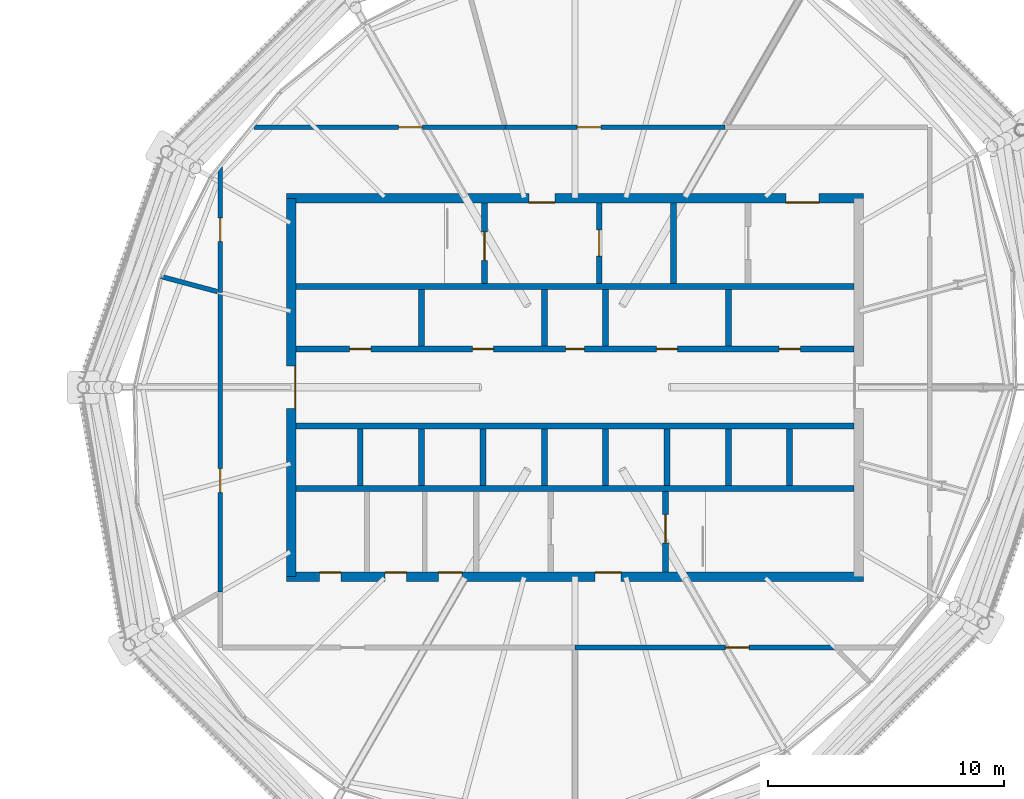
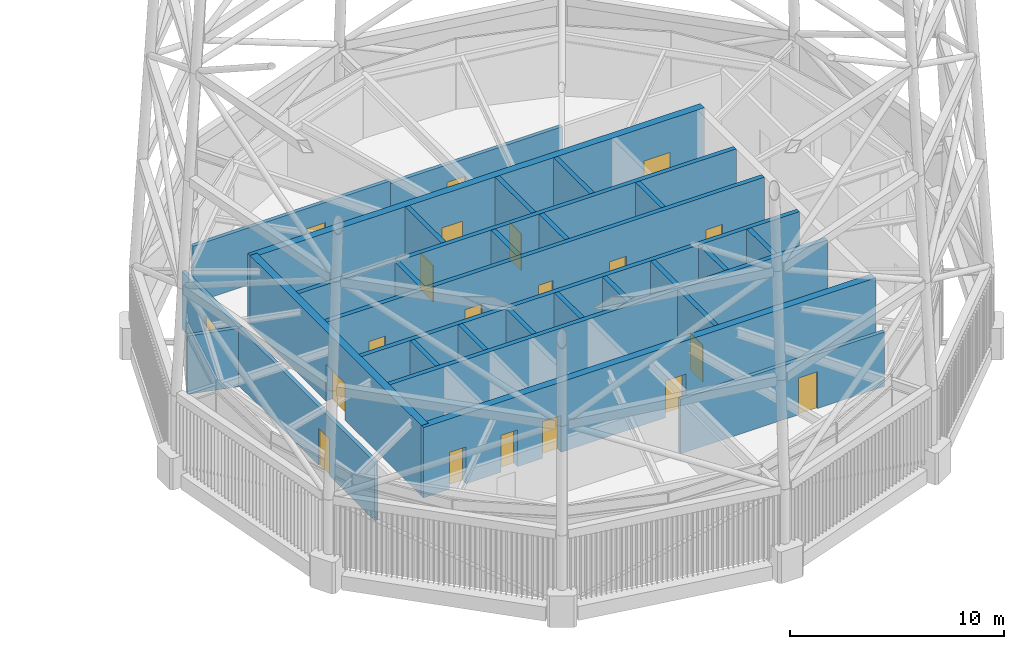
# One storey, part 65 of 71: 29 walls, 20 doors, 20 openings.
"""IFC4 building model written with IfcOpenShell, lengths in metres."""

from ifc_helpers import new_model, si_unit, direction, frame, frame_2d, origin, place, context, subcontext, project, spatial, rectangle, extrude, material, layer, layer_set, type_object, element, fill, save


model = new_model("IFC4")

# Units and contexts
model_context = context("Model", 3, precision=1e-05, world=origin(), true_north=direction((0.0, 1.0)))
body_context = subcontext(model_context, "Body", "Model", "MODEL_VIEW")
ifc_project = project(units=[si_unit("LENGTHUNIT", "METRE"), si_unit("AREAUNIT", "SQUARE_METRE"), si_unit("VOLUMEUNIT", "CUBIC_METRE"), si_unit("PLANEANGLEUNIT", "RADIAN"), si_unit("MASSUNIT", "GRAM", prefix="KILO")], contexts=[model_context])

# Site, building, storey
site_placement = place(None, origin())
site = spatial("IfcSite", under=ifc_project, at=site_placement, CompositionType="ELEMENT")
building_placement = place(site_placement, origin())
building = spatial("IfcBuilding", under=site, at=building_placement, Name="Rimbun Link Towers", CompositionType="ELEMENT")
storey_placement = place(building_placement, frame((0.0, 0.0, 267.60009765625)))
storey = spatial("IfcBuildingStorey", under=building, at=storey_placement, Name="L65", CompositionType="ELEMENT", Elevation=267.60009765625)

# Wall, openings, doors
ifc_material_1 = material(Name="Concrete C60/75", Category="concrete")
ifc_layer_1 = layer(ifc_material_1, 0.39990234375)
ifc_layer_set_1 = layer_set([ifc_layer_1], Name="Core shear wall 400")
wall_type_1 = type_object("IfcWallType", Name="Core shear wall 400", PredefinedType="SHEAR", material=ifc_layer_set_1)
wall_1_placement = place(storey_placement, frame((19.550048828125, 8.0, 0.0), z_axis=(0.0, 0.0, 1.0), x_axis=(1.0, 0.0, 0.0)))
wall_1 = element("IfcWall", 1, at=wall_1_placement, inside=storey, type_object=wall_type_1, Name="L65 T2 core wall N", PredefinedType="SHEAR", context=body_context, shape_type="SweptSolid", body=[
    extrude(rectangle(XDim=24.39990234375, YDim=0.39990234375, at=frame_2d((12.199951171875, 0.0))), origin(), (0.0, 0.0, 1.0), 4.0),
])
opening_1_placement = place(wall_1_placement, frame((10.25, 0.0, 0.0)))
opening_1 = element("IfcOpeningElement", 2, at=opening_1_placement, cuts=wall_1, Name="Opening C2DCF01N", PredefinedType="OPENING", context=body_context, shape_type="SweptSolid", body=[
    extrude(rectangle(XDim=1.10009765625, YDim=2.10009765625, at=frame_2d((0.550048828125, 1.050048828125))), frame((0.0, 0.2099609375, 0.0), z_axis=(0.0, -1.0, 0.0), x_axis=(1.0, 0.0, 0.0)), (0.0, 0.0, 1.0), 0.419921875),
])
opening_2_placement = place(wall_1_placement, frame((21.125, 0.0, 0.0)))
opening_2 = element("IfcOpeningElement", 3, at=opening_2_placement, cuts=wall_1, Name="Opening C2DSL02N", PredefinedType="OPENING", context=body_context, shape_type="SweptSolid", body=[
    extrude(rectangle(XDim=1.39990234375, YDim=2.10009765625, at=frame_2d((0.699951171875, 1.050048828125))), frame((0.0, 0.2099609375, 0.0), z_axis=(0.0, -1.0, 0.0), x_axis=(1.0, 0.0, 0.0)), (0.0, 0.0, 1.0), 0.419921875),
])
ifc_material_2 = material(Name="Steel fire door set", Category="steel")
door_type_1 = type_object("IfcDoorType", Name="Core fire door single", OperationType="SINGLE_SWING_LEFT", PredefinedType="DOOR", material=ifc_material_2)
door_1_placement = place(opening_1_placement, origin())
door_1 = element("IfcDoor", 4, at=door_1_placement, inside=storey, type_object=door_type_1, Name="L65 T2 firefighting lobby n door", OperationType="SINGLE_SWING_LEFT", OverallHeight=2.10009765625, OverallWidth=1.10009765625, PredefinedType="DOOR", context=body_context, shape_type="SweptSolid", body=[
    extrude(rectangle(XDim=1.10009765625, YDim=2.10009765625, at=frame_2d((0.550048828125, 1.050048828125))), frame((0.0, -0.14990234375, 0.0), z_axis=(0.0, -1.0, 0.0), x_axis=(1.0, 0.0, 0.0)), (0.0, 0.0, 1.0), 0.050048828125),
])
fill(opening_1, door_1)
ifc_material_3 = material(Name="Steel fire door set", Category="steel")
door_type_2 = type_object("IfcDoorType", Name="Service lobby door double", OperationType="DOUBLE_DOOR_SINGLE_SWING", PredefinedType="DOOR", material=ifc_material_3)
door_2_placement = place(opening_2_placement, origin())
door_2 = element("IfcDoor", 5, at=door_2_placement, inside=storey, type_object=door_type_2, Name="L65 T2 service lobby door", OperationType="DOUBLE_DOOR_SINGLE_SWING", OverallHeight=2.10009765625, OverallWidth=1.39990234375, PredefinedType="DOOR", context=body_context, shape_type="SweptSolid", body=[
    extrude(rectangle(XDim=1.39990234375, YDim=2.10009765625, at=frame_2d((0.699951171875, 1.050048828125))), frame((0.0, -0.14990234375, 0.0), z_axis=(0.0, -1.0, 0.0), x_axis=(1.0, 0.0, 0.0)), (0.0, 0.0, 1.0), 0.050048828125),
])
fill(opening_2, door_2)

wall_2_placement = place(storey_placement, frame((19.550048828125, -8.0, 0.0), z_axis=(0.0, 0.0, 1.0), x_axis=(1.0, 0.0, 0.0)))
wall_2 = element("IfcWall", 6, at=wall_2_placement, inside=storey, type_object=wall_type_1, Name="L65 T2 core wall S", PredefinedType="SHEAR", context=body_context, shape_type="SweptSolid", body=[
    extrude(rectangle(XDim=24.39990234375, YDim=0.39990234375, at=frame_2d((12.199951171875, 0.0))), origin(), (0.0, 0.0, 1.0), 4.0),
])
opening_3_placement = place(wall_2_placement, frame((13.050048828125, 0.0, 0.0)))
opening_3 = element("IfcOpeningElement", 7, at=opening_3_placement, cuts=wall_2, Name="Opening C2DCF01S", PredefinedType="OPENING", context=body_context, shape_type="SweptSolid", body=[
    extrude(rectangle(XDim=1.10009765625, YDim=2.10009765625, at=frame_2d((0.550048828125, 1.050048828125))), frame((0.0, 0.2099609375, 0.0), z_axis=(0.0, -1.0, 0.0), x_axis=(1.0, 0.0, 0.0)), (0.0, 0.0, 1.0), 0.419921875),
])
opening_4_placement = place(wall_2_placement, frame((1.39990234375, 0.0, 0.0)))
opening_4 = element("IfcOpeningElement", 8, at=opening_4_placement, cuts=wall_2, Name="Opening C2DWC02S", PredefinedType="OPENING", context=body_context, shape_type="SweptSolid", body=[
    extrude(rectangle(XDim=0.89990234375, YDim=2.10009765625, at=frame_2d((0.449951171875, 1.050048828125))), frame((0.0, 0.2099609375, 0.0), z_axis=(0.0, -1.0, 0.0), x_axis=(1.0, 0.0, 0.0)), (0.0, 0.0, 1.0), 0.419921875),
])
opening_5_placement = place(wall_2_placement, frame((4.175048828125, 0.0, 0.0)))
opening_5 = element("IfcOpeningElement", 9, at=opening_5_placement, cuts=wall_2, Name="Opening C2DWC03S", PredefinedType="OPENING", context=body_context, shape_type="SweptSolid", body=[
    extrude(rectangle(XDim=0.89990234375, YDim=2.10009765625, at=frame_2d((0.449951171875, 1.050048828125))), frame((0.0, 0.2099609375, 0.0), z_axis=(0.0, -1.0, 0.0), x_axis=(1.0, 0.0, 0.0)), (0.0, 0.0, 1.0), 0.419921875),
])
opening_6_placement = place(wall_2_placement, frame((6.425048828125, 0.0, 0.0)))
opening_6 = element("IfcOpeningElement", 10, at=opening_6_placement, cuts=wall_2, Name="Opening C2DAW04S", PredefinedType="OPENING", context=body_context, shape_type="SweptSolid", body=[
    extrude(rectangle(XDim=1.0, YDim=2.10009765625, at=frame_2d((0.5, 1.050048828125))), frame((0.0, 0.2099609375, 0.0), z_axis=(0.0, -1.0, 0.0), x_axis=(1.0, 0.0, 0.0)), (0.0, 0.0, 1.0), 0.419921875),
])
ifc_material_4 = material(Name="Timber", Category="wood")
door_type_3 = type_object("IfcDoorType", Name="Accessible WC door", OperationType="SINGLE_SWING_LEFT", PredefinedType="DOOR", material=ifc_material_4)
door_3_placement = place(opening_6_placement, origin())
door_3 = element("IfcDoor", 11, at=door_3_placement, inside=storey, type_object=door_type_3, Name="L65 T2 accessible wc door", OperationType="SINGLE_SWING_RIGHT", OverallHeight=2.10009765625, OverallWidth=1.0, PredefinedType="DOOR", context=body_context, shape_type="SweptSolid", body=[
    extrude(rectangle(XDim=1.0, YDim=2.10009765625, at=frame_2d((0.5, 1.050048828125))), frame((0.0, 0.2001953125, 0.0), z_axis=(0.0, -1.0, 0.0), x_axis=(1.0, 0.0, 0.0)), (0.0, 0.0, 1.0), 0.050048828125),
])
fill(opening_6, door_3)
door_4_placement = place(opening_3_placement, origin())
door_4 = element("IfcDoor", 12, at=door_4_placement, inside=storey, type_object=door_type_1, Name="L65 T2 firefighting lobby s door", OperationType="SINGLE_SWING_RIGHT", OverallHeight=2.10009765625, OverallWidth=1.10009765625, PredefinedType="DOOR", context=body_context, shape_type="SweptSolid", body=[
    extrude(rectangle(XDim=1.10009765625, YDim=2.10009765625, at=frame_2d((0.550048828125, 1.050048828125))), frame((0.0, 0.2001953125, 0.0), z_axis=(0.0, -1.0, 0.0), x_axis=(1.0, 0.0, 0.0)), (0.0, 0.0, 1.0), 0.050048828125),
])
fill(opening_3, door_4)
ifc_material_5 = material(Name="Timber", Category="wood")
door_type_4 = type_object("IfcDoorType", Name="WC door", OperationType="SINGLE_SWING_LEFT", PredefinedType="DOOR", material=ifc_material_5)
door_5_placement = place(opening_4_placement, origin())
door_5 = element("IfcDoor", 13, at=door_5_placement, inside=storey, type_object=door_type_4, Name="L65 T2 male wc door", OperationType="SINGLE_SWING_RIGHT", OverallHeight=2.10009765625, OverallWidth=0.89990234375, PredefinedType="DOOR", context=body_context, shape_type="SweptSolid", body=[
    extrude(rectangle(XDim=0.89990234375, YDim=2.10009765625, at=frame_2d((0.449951171875, 1.050048828125))), frame((0.0, 0.2001953125, 0.0), z_axis=(0.0, -1.0, 0.0), x_axis=(1.0, 0.0, 0.0)), (0.0, 0.0, 1.0), 0.050048828125),
])
fill(opening_4, door_5)
door_6_placement = place(opening_5_placement, origin())
door_6 = element("IfcDoor", 14, at=door_6_placement, inside=storey, type_object=door_type_4, Name="L65 T2 female wc door", OperationType="SINGLE_SWING_RIGHT", OverallHeight=2.10009765625, OverallWidth=0.89990234375, PredefinedType="DOOR", context=body_context, shape_type="SweptSolid", body=[
    extrude(rectangle(XDim=0.89990234375, YDim=2.10009765625, at=frame_2d((0.449951171875, 1.050048828125))), frame((0.0, 0.2001953125, 0.0), z_axis=(0.0, -1.0, 0.0), x_axis=(1.0, 0.0, 0.0)), (0.0, 0.0, 1.0), 0.050048828125),
])
fill(opening_5, door_6)

# Wall, opening, door
wall_3_placement = place(storey_placement, frame((19.75, -8.0, 0.0), z_axis=(0.0, 0.0, 1.0), x_axis=(0.0, 1.0, 0.0)))
wall_3 = element("IfcWall", 15, at=wall_3_placement, inside=storey, type_object=wall_type_1, Name="L65 T2 core wall W", PredefinedType="SHEAR", context=body_context, shape_type="SweptSolid", body=[
    extrude(rectangle(XDim=16.0, YDim=0.39990234375, at=frame_2d((8.0, 0.0))), origin(), (0.0, 0.0, 1.0), 4.0),
])
opening_7_placement = place(wall_3_placement, frame((7.10009765625, 0.0, 0.0)))
opening_7 = element("IfcOpeningElement", 16, at=opening_7_placement, cuts=wall_3, Name="Opening C2DCL01W", PredefinedType="OPENING", context=body_context, shape_type="SweptSolid", body=[
    extrude(rectangle(XDim=1.800048828125, YDim=2.10009765625, at=frame_2d((0.89990234375, 1.050048828125))), frame((0.0, 0.2099609375, 0.0), z_axis=(0.0, -1.0, 0.0), x_axis=(1.0, 0.0, 0.0)), (0.0, 0.0, 1.0), 0.419921875),
])
ifc_material_6 = material(Name="Steel fire door set", Category="steel")
door_type_5 = type_object("IfcDoorType", Name="Core lobby door double", OperationType="DOUBLE_DOOR_SINGLE_SWING", PredefinedType="DOOR", material=ifc_material_6)
door_7_placement = place(opening_7_placement, origin())
door_7 = element("IfcDoor", 17, at=door_7_placement, inside=storey, type_object=door_type_5, Name="L65 T2 lift lobby door", OperationType="DOUBLE_DOOR_SINGLE_SWING", OverallHeight=2.10009765625, OverallWidth=1.800048828125, PredefinedType="DOOR", context=body_context, shape_type="SweptSolid", body=[
    extrude(rectangle(XDim=1.800048828125, YDim=2.10009765625, at=frame_2d((0.89990234375, 1.050048828125))), frame((0.0, -0.14990234375, 0.0), z_axis=(0.0, -1.0, 0.0), x_axis=(1.0, 0.0, 0.0)), (0.0, 0.0, 1.0), 0.050048828125),
])
fill(opening_7, door_7)

ifc_material_7 = material(Name="Concrete blockwork", Category="masonry")
ifc_layer_2 = layer(ifc_material_7, 0.199951171875)
ifc_layer_set_2 = layer_set([ifc_layer_2], Name="Fire partition 200 blockwork")
wall_type_2 = type_object("IfcWallType", Name="Fire partition 200 blockwork", PredefinedType="PARTITIONING", material=ifc_layer_set_2)
wall_4_placement = place(storey_placement, frame((31.75, -11.0, 0.0), z_axis=(0.0, 0.0, 1.0), x_axis=(1.0, 0.0, 0.0)))
wall_4 = element("IfcWall", 18, at=wall_4_placement, inside=storey, type_object=wall_type_2, Name="TW/PW/L65/021", PredefinedType="PARTITIONING", context=body_context, shape_type="SweptSolid", body=[
    extrude(rectangle(XDim=11.0, YDim=0.199951171875, at=frame_2d((5.5, 0.0))), origin(), (0.0, 0.0, 1.0), 3.096923828125),
])
opening_8_placement = place(wall_4_placement, frame((6.364990234375, 0.0, 0.0)))
opening_8 = element("IfcOpeningElement", 19, at=opening_8_placement, cuts=wall_4, Name="Opening TW D65.09", PredefinedType="OPENING", context=body_context, shape_type="SweptSolid", body=[
    extrude(rectangle(XDim=1.0, YDim=2.10009765625, at=frame_2d((0.5, 1.050048828125))), frame((0.0, 0.10986328125, 0.0), z_axis=(0.0, -1.0, 0.0), x_axis=(1.0, 0.0, 0.0)), (0.0, 0.0, 1.0), 0.219970703125),
])
ifc_material_8 = material(Name="Steel fire door set", Category="steel")
door_type_6 = type_object("IfcDoorType", Name="Fire door single leaf 1000 x 2100", OperationType="NOTDEFINED", PredefinedType="DOOR", material=ifc_material_8)
door_8_placement = place(opening_8_placement, origin())
door_8 = element("IfcDoor", 20, at=door_8_placement, inside=storey, type_object=door_type_6, Name="TW/DR/L65/009", OperationType="SINGLE_SWING_RIGHT", OverallHeight=2.10009765625, OverallWidth=1.0, PredefinedType="DOOR", context=body_context, shape_type="SweptSolid", body=[
    extrude(rectangle(XDim=1.0, YDim=2.10009765625, at=frame_2d((0.5, 1.050048828125))), frame((0.0, 0.02490234375, 0.0), z_axis=(0.0, -1.0, 0.0), x_axis=(1.0, 0.0, 0.0)), (0.0, 0.0, 1.0), 0.050048828125),
])
fill(opening_8, door_8)

wall_5_placement = place(storey_placement, frame((38.100830078125, 11.0, 0.0), z_axis=(0.0, 0.0, 1.0), x_axis=(-1.0, 0.0, 0.0)))
wall_5 = element("IfcWall", 21, at=wall_5_placement, inside=storey, type_object=wall_type_2, Name="TW/PW/L65/027", PredefinedType="PARTITIONING", context=body_context, shape_type="SweptSolid", body=[
    extrude(rectangle(XDim=9.29833984375, YDim=0.199951171875, at=frame_2d((4.649169921875, 0.0))), origin(), (0.0, 0.0, 1.0), 3.096923828125),
])
opening_9_placement = place(wall_5_placement, frame((5.259033203125, 0.0, 0.0)))
opening_9 = element("IfcOpeningElement", 22, at=opening_9_placement, cuts=wall_5, Name="Opening TW D65.12", PredefinedType="OPENING", context=body_context, shape_type="SweptSolid", body=[
    extrude(rectangle(XDim=1.0, YDim=2.10009765625, at=frame_2d((0.5, 1.050048828125))), frame((0.0, 0.10986328125, 0.0), z_axis=(0.0, -1.0, 0.0), x_axis=(1.0, 0.0, 0.0)), (0.0, 0.0, 1.0), 0.219970703125),
])
door_9_placement = place(opening_9_placement, origin())
door_9 = element("IfcDoor", 23, at=door_9_placement, inside=storey, type_object=door_type_6, Name="TW/DR/L65/012", OperationType="SINGLE_SWING_LEFT", OverallHeight=2.10009765625, OverallWidth=1.0, PredefinedType="DOOR", context=body_context, shape_type="SweptSolid", body=[
    extrude(rectangle(XDim=1.0, YDim=2.10009765625, at=frame_2d((0.5, 1.050048828125))), frame((0.0, 0.02490234375, 0.0), z_axis=(0.0, -1.0, 0.0), x_axis=(1.0, 0.0, 0.0)), (0.0, 0.0, 1.0), 0.050048828125),
])
fill(opening_9, door_9)

wall_6_placement = place(storey_placement, frame((16.75, 9.32958984375, 0.0), z_axis=(0.0, 0.0, 1.0), x_axis=(0.0, -1.0, 0.0)))
wall_6 = element("IfcWall", 24, at=wall_6_placement, inside=storey, type_object=wall_type_2, Name="TW/PW/L65/028", PredefinedType="PARTITIONING", context=body_context, shape_type="SweptSolid", body=[
    extrude(rectangle(XDim=5.310302734375, YDim=0.199951171875, at=frame_2d((2.6552734375, 0.0))), origin(), (0.0, 0.0, 1.0), 3.326904296875),
])
opening_10_placement = place(wall_6_placement, frame((2.155029296875, 0.0, 0.0)))
opening_10 = element("IfcOpeningElement", 25, at=opening_10_placement, cuts=wall_6, Name="Opening TW D65.13", PredefinedType="OPENING", context=body_context, shape_type="SweptSolid", body=[
    extrude(rectangle(XDim=1.0, YDim=2.10009765625, at=frame_2d((0.5, 1.050048828125))), frame((0.0, 0.10986328125, 0.0), z_axis=(0.0, -1.0, 0.0), x_axis=(1.0, 0.0, 0.0)), (0.0, 0.0, 1.0), 0.219970703125),
])
door_10_placement = place(opening_10_placement, origin())
door_10 = element("IfcDoor", 26, at=door_10_placement, inside=storey, type_object=door_type_6, Name="TW/DR/L65/013", OperationType="SINGLE_SWING_RIGHT", OverallHeight=2.10009765625, OverallWidth=1.0, PredefinedType="DOOR", context=body_context, shape_type="SweptSolid", body=[
    extrude(rectangle(XDim=1.0, YDim=2.10009765625, at=frame_2d((0.5, 1.050048828125))), frame((0.0, 0.02490234375, 0.0), z_axis=(0.0, -1.0, 0.0), x_axis=(1.0, 0.0, 0.0)), (0.0, 0.0, 1.0), 0.050048828125),
])
fill(opening_10, door_10)

wall_7_placement = place(storey_placement, frame((28.802490234375, 11.0, 0.0), z_axis=(0.0, 0.0, 1.0), x_axis=(-1.0, 0.0, 0.0)))
wall_7 = element("IfcWall", 27, at=wall_7_placement, inside=storey, type_object=wall_type_2, Name="TW/PW/L65/029", PredefinedType="PARTITIONING", context=body_context, shape_type="SweptSolid", body=[
    extrude(rectangle(XDim=10.6357421875, YDim=0.199951171875, at=frame_2d((5.31787109375, 0.0))), origin(), (0.0, 0.0, 1.0), 3.246826171875),
])
opening_11_placement = place(wall_7_placement, frame((3.508056640625, 0.0, 0.0)))
opening_11 = element("IfcOpeningElement", 28, at=opening_11_placement, cuts=wall_7, Name="Opening TW D65.14", PredefinedType="OPENING", context=body_context, shape_type="SweptSolid", body=[
    extrude(rectangle(XDim=1.0, YDim=2.10009765625, at=frame_2d((0.5, 1.050048828125))), frame((0.0, 0.10986328125, 0.0), z_axis=(0.0, -1.0, 0.0), x_axis=(1.0, 0.0, 0.0)), (0.0, 0.0, 1.0), 0.219970703125),
])
door_11_placement = place(opening_11_placement, origin())
door_11 = element("IfcDoor", 29, at=door_11_placement, inside=storey, type_object=door_type_6, Name="TW/DR/L65/014", OperationType="SINGLE_SWING_LEFT", OverallHeight=2.10009765625, OverallWidth=1.0, PredefinedType="DOOR", context=body_context, shape_type="SweptSolid", body=[
    extrude(rectangle(XDim=1.0, YDim=2.10009765625, at=frame_2d((0.5, 1.050048828125))), frame((0.0, 0.02490234375, 0.0), z_axis=(0.0, -1.0, 0.0), x_axis=(1.0, 0.0, 0.0)), (0.0, 0.0, 1.0), 0.050048828125),
])
fill(opening_11, door_11)

wall_8_placement = place(storey_placement, frame((16.75, 4.019287109375, 0.0), z_axis=(0.0, 0.0, 1.0), x_axis=(0.0, -1.0, 0.0)))
wall_8 = element("IfcWall", 30, at=wall_8_placement, inside=storey, type_object=wall_type_2, Name="TW/PW/L65/030", PredefinedType="PARTITIONING", context=body_context, shape_type="SweptSolid", body=[
    extrude(rectangle(XDim=12.6796875, YDim=0.199951171875, at=frame_2d((6.33984375, 0.0))), origin(), (0.0, 0.0, 1.0), 3.326904296875),
])
opening_12_placement = place(wall_8_placement, frame((7.45703125, 0.0, 0.0)))
opening_12 = element("IfcOpeningElement", 31, at=opening_12_placement, cuts=wall_8, Name="Opening TW D65.15", PredefinedType="OPENING", context=body_context, shape_type="SweptSolid", body=[
    extrude(rectangle(XDim=1.0, YDim=2.10009765625, at=frame_2d((0.5, 1.050048828125))), frame((0.0, 0.10986328125, 0.0), z_axis=(0.0, -1.0, 0.0), x_axis=(1.0, 0.0, 0.0)), (0.0, 0.0, 1.0), 0.219970703125),
])
door_12_placement = place(opening_12_placement, origin())
door_12 = element("IfcDoor", 32, at=door_12_placement, inside=storey, type_object=door_type_6, Name="TW/DR/L65/015", OperationType="SINGLE_SWING_RIGHT", OverallHeight=2.10009765625, OverallWidth=1.0, PredefinedType="DOOR", context=body_context, shape_type="SweptSolid", body=[
    extrude(rectangle(XDim=1.0, YDim=2.10009765625, at=frame_2d((0.5, 1.050048828125))), frame((0.0, 0.02490234375, 0.0), z_axis=(0.0, -1.0, 0.0), x_axis=(1.0, 0.0, 0.0)), (0.0, 0.0, 1.0), 0.050048828125),
])
fill(opening_12, door_12)

# Walls
wall_9_placement = place(storey_placement, frame((14.248779296875, 4.689453125, 0.0), z_axis=(0.0, 0.0, 1.0), x_axis=(0.96592279048, -0.258830374631, 0.0)))
element("IfcWall", 33, at=wall_9_placement, inside=storey, type_object=wall_type_2, Name="TW/PW/L65/037", PredefinedType="PARTITIONING", context=body_context, shape_type="SweptSolid", body=[
    extrude(rectangle(XDim=2.458984375, YDim=0.199951171875, at=frame_2d((1.2294921875, 0.0))), origin(), (0.0, 0.0, 1.0), 3.326904296875),
])
ifc_material_9 = material(Name="Concrete C60/75", Category="concrete")
ifc_layer_3 = layer(ifc_material_9, 0.25)
ifc_layer_set_3 = layer_set([ifc_layer_3], Name="Shaft wall 250")
wall_type_3 = type_object("IfcWallType", Name="Shaft wall 250", PredefinedType="SHEAR", material=ifc_layer_set_3)
for number, where, z_axis, x_axis, name in (
    (34, (19.949951171875, 4.27490234375, 0.0), (0.0, 0.0, 1.0), (1.0, 0.0, 0.0), "L65 T2 core wall BN"),
    (35, (19.949951171875, -4.27490234375, 0.0), (0.0, 0.0, 1.0), (1.0, 0.0, 0.0), "L65 T2 core wall BS"),
):
    element("IfcWall", number, at=place(storey_placement, frame(where, z_axis=z_axis, x_axis=x_axis)), inside=storey, type_object=wall_type_3, Name=name, PredefinedType="SHEAR", context=body_context, shape_type="SweptSolid", body=[
        extrude(rectangle(XDim=23.60009765625, YDim=0.25, at=frame_2d((11.800048828125, 0.0))), origin(), (0.0, 0.0, 1.0), 4.0),
    ])

# Wall, openings, doors
wall_10_placement = place(storey_placement, frame((19.949951171875, 1.625, 0.0), z_axis=(0.0, 0.0, 1.0), x_axis=(1.0, 0.0, 0.0)))
wall_10 = element("IfcWall", 36, at=wall_10_placement, inside=storey, type_object=wall_type_3, Name="L65 T2 core wall FN", PredefinedType="SHEAR", context=body_context, shape_type="SweptSolid", body=[
    extrude(rectangle(XDim=23.60009765625, YDim=0.25, at=frame_2d((11.800048828125, 0.0))), origin(), (0.0, 0.0, 1.0), 4.0),
])
opening_13_placement = place(wall_10_placement, frame((2.269287109375, 0.0, 0.0)))
opening_13 = element("IfcOpeningElement", 37, at=opening_13_placement, cuts=wall_10, Name="Opening C2DRS01FN", PredefinedType="OPENING", context=body_context, shape_type="SweptSolid", body=[
    extrude(rectangle(XDim=0.89990234375, YDim=2.10009765625, at=frame_2d((0.449951171875, 1.050048828125))), frame((0.0, 0.135009765625, 0.0), z_axis=(0.0, -1.0, 0.0), x_axis=(1.0, 0.0, 0.0)), (0.0, 0.0, 1.0), 0.27001953125),
])
opening_14_placement = place(wall_10_placement, frame((7.458251953125, 0.0, 0.0)))
opening_14 = element("IfcOpeningElement", 38, at=opening_14_placement, cuts=wall_10, Name="Opening C2DRS02FN", PredefinedType="OPENING", context=body_context, shape_type="SweptSolid", body=[
    extrude(rectangle(XDim=0.89990234375, YDim=2.10009765625, at=frame_2d((0.449951171875, 1.050048828125))), frame((0.0, 0.135009765625, 0.0), z_axis=(0.0, -1.0, 0.0), x_axis=(1.0, 0.0, 0.0)), (0.0, 0.0, 1.0), 0.27001953125),
])
opening_15_placement = place(wall_10_placement, frame((11.39990234375, 0.0, 0.0)))
opening_15 = element("IfcOpeningElement", 39, at=opening_15_placement, cuts=wall_10, Name="Opening C2DRA03FN", PredefinedType="OPENING", context=body_context, shape_type="SweptSolid", body=[
    extrude(rectangle(XDim=0.800048828125, YDim=2.10009765625, at=frame_2d((0.39990234375, 1.050048828125))), frame((0.0, 0.135009765625, 0.0), z_axis=(0.0, -1.0, 0.0), x_axis=(1.0, 0.0, 0.0)), (0.0, 0.0, 1.0), 0.27001953125),
])
opening_16_placement = place(wall_10_placement, frame((15.24169921875, 0.0, 0.0)))
opening_16 = element("IfcOpeningElement", 40, at=opening_16_placement, cuts=wall_10, Name="Opening C2DRS04FN", PredefinedType="OPENING", context=body_context, shape_type="SweptSolid", body=[
    extrude(rectangle(XDim=0.89990234375, YDim=2.10009765625, at=frame_2d((0.449951171875, 1.050048828125))), frame((0.0, 0.135009765625, 0.0), z_axis=(0.0, -1.0, 0.0), x_axis=(1.0, 0.0, 0.0)), (0.0, 0.0, 1.0), 0.27001953125),
])
opening_17_placement = place(wall_10_placement, frame((20.4306640625, 0.0, 0.0)))
opening_17 = element("IfcOpeningElement", 41, at=opening_17_placement, cuts=wall_10, Name="Opening C2DRS05FN", PredefinedType="OPENING", context=body_context, shape_type="SweptSolid", body=[
    extrude(rectangle(XDim=0.89990234375, YDim=2.10009765625, at=frame_2d((0.449951171875, 1.050048828125))), frame((0.0, 0.135009765625, 0.0), z_axis=(0.0, -1.0, 0.0), x_axis=(1.0, 0.0, 0.0)), (0.0, 0.0, 1.0), 0.27001953125),
])
ifc_material_10 = material(Name="Steel fire door set", Category="steel")
door_type_7 = type_object("IfcDoorType", Name="Core riser door", OperationType="SINGLE_SWING_LEFT", PredefinedType="DOOR", material=ifc_material_10)
door_13_placement = place(opening_13_placement, origin())
door_13 = element("IfcDoor", 42, at=door_13_placement, inside=storey, type_object=door_type_7, Name="L65 T2 staff lounge door", OperationType="SINGLE_SWING_LEFT", OverallHeight=2.10009765625, OverallWidth=0.89990234375, PredefinedType="DOOR", context=body_context, shape_type="SweptSolid", body=[
    extrude(rectangle(XDim=0.89990234375, YDim=2.10009765625, at=frame_2d((0.449951171875, 1.050048828125))), frame((0.0, 0.02490234375, 0.0), z_axis=(0.0, -1.0, 0.0), x_axis=(1.0, 0.0, 0.0)), (0.0, 0.0, 1.0), 0.050048828125),
])
fill(opening_13, door_13)
door_14_placement = place(opening_14_placement, origin())
door_14 = element("IfcDoor", 43, at=door_14_placement, inside=storey, type_object=door_type_7, Name="L65 T2 phone room door", OperationType="SINGLE_SWING_LEFT", OverallHeight=2.10009765625, OverallWidth=0.89990234375, PredefinedType="DOOR", context=body_context, shape_type="SweptSolid", body=[
    extrude(rectangle(XDim=0.89990234375, YDim=2.10009765625, at=frame_2d((0.449951171875, 1.050048828125))), frame((0.0, 0.02490234375, 0.0), z_axis=(0.0, -1.0, 0.0), x_axis=(1.0, 0.0, 0.0)), (0.0, 0.0, 1.0), 0.050048828125),
])
fill(opening_14, door_14)
door_15_placement = place(opening_16_placement, origin())
door_15 = element("IfcDoor", 44, at=door_15_placement, inside=storey, type_object=door_type_7, Name="L65 T2 print room door", OperationType="SINGLE_SWING_RIGHT", OverallHeight=2.10009765625, OverallWidth=0.89990234375, PredefinedType="DOOR", context=body_context, shape_type="SweptSolid", body=[
    extrude(rectangle(XDim=0.89990234375, YDim=2.10009765625, at=frame_2d((0.449951171875, 1.050048828125))), frame((0.0, 0.02490234375, 0.0), z_axis=(0.0, -1.0, 0.0), x_axis=(1.0, 0.0, 0.0)), (0.0, 0.0, 1.0), 0.050048828125),
])
fill(opening_16, door_15)
door_16_placement = place(opening_17_placement, origin())
door_16 = element("IfcDoor", 45, at=door_16_placement, inside=storey, type_object=door_type_7, Name="L65 T2 staff lounge door", OperationType="SINGLE_SWING_LEFT", OverallHeight=2.10009765625, OverallWidth=0.89990234375, PredefinedType="DOOR", context=body_context, shape_type="SweptSolid", body=[
    extrude(rectangle(XDim=0.89990234375, YDim=2.10009765625, at=frame_2d((0.449951171875, 1.050048828125))), frame((0.0, 0.02490234375, 0.0), z_axis=(0.0, -1.0, 0.0), x_axis=(1.0, 0.0, 0.0)), (0.0, 0.0, 1.0), 0.050048828125),
])
fill(opening_17, door_16)
ifc_material_11 = material(Name="Steel fire door set", Category="steel")
door_type_8 = type_object("IfcDoorType", Name="Riser access door 800 x 2100", OperationType="SINGLE_SWING_LEFT", PredefinedType="DOOR", material=ifc_material_11)
door_17_placement = place(opening_15_placement, origin())
door_17 = element("IfcDoor", 46, at=door_17_placement, inside=storey, type_object=door_type_8, Name="L65 T2 communications room door", OperationType="SINGLE_SWING_LEFT", OverallHeight=2.10009765625, OverallWidth=0.800048828125, PredefinedType="DOOR", context=body_context, shape_type="SweptSolid", body=[
    extrude(rectangle(XDim=0.800048828125, YDim=2.10009765625, at=frame_2d((0.39990234375, 1.050048828125))), frame((0.0, 0.02490234375, 0.0), z_axis=(0.0, -1.0, 0.0), x_axis=(1.0, 0.0, 0.0)), (0.0, 0.0, 1.0), 0.050048828125),
])
fill(opening_15, door_17)

# Walls
wall_11_placement = place(storey_placement, frame((19.949951171875, -1.625, 0.0), z_axis=(0.0, 0.0, 1.0), x_axis=(1.0, 0.0, 0.0)))
element("IfcWall", 47, at=wall_11_placement, inside=storey, type_object=wall_type_3, Name="L65 T2 core wall FS", PredefinedType="SHEAR", context=body_context, shape_type="SweptSolid", body=[
    extrude(rectangle(XDim=23.60009765625, YDim=0.25, at=frame_2d((11.800048828125, 0.0))), origin(), (0.0, 0.0, 1.0), 4.0),
])
for number, where, z_axis, x_axis, name in (
    (48, (25.263916015625, 1.75, 0.0), (0.0, 0.0, 1.0), (0.0, 1.0, 0.0), "L65 T2 core wall DN1"),
    (49, (30.452880859375, 1.75, 0.0), (0.0, 0.0, 1.0), (0.0, 1.0, 0.0), "L65 T2 core wall DN3"),
    (50, (33.047119140625, 1.75, 0.0), (0.0, 0.0, 1.0), (0.0, 1.0, 0.0), "L65 T2 core wall DN4"),
    (51, (38.236083984375, 1.75, 0.0), (0.0, 0.0, 1.0), (0.0, 1.0, 0.0), "L65 T2 core wall DN6"),
    (52, (22.66943359375, -4.14990234375, 0.0), (0.0, 0.0, 1.0), (0.0, 1.0, 0.0), "L65 T2 core wall DS0"),
    (53, (25.263916015625, -4.14990234375, 0.0), (0.0, 0.0, 1.0), (0.0, 1.0, 0.0), "L65 T2 core wall DS1"),
    (54, (27.8583984375, -4.14990234375, 0.0), (0.0, 0.0, 1.0), (0.0, 1.0, 0.0), "L65 T2 core wall DS2"),
    (55, (30.452880859375, -4.14990234375, 0.0), (0.0, 0.0, 1.0), (0.0, 1.0, 0.0), "L65 T2 core wall DS3"),
    (56, (33.047119140625, -4.14990234375, 0.0), (0.0, 0.0, 1.0), (0.0, 1.0, 0.0), "L65 T2 core wall DS4"),
    (57, (35.6416015625, -4.14990234375, 0.0), (0.0, 0.0, 1.0), (0.0, 1.0, 0.0), "L65 T2 core wall DS5"),
    (58, (38.236083984375, -4.14990234375, 0.0), (0.0, 0.0, 1.0), (0.0, 1.0, 0.0), "L65 T2 core wall DS6"),
    (59, (40.83056640625, -4.14990234375, 0.0), (0.0, 0.0, 1.0), (0.0, 1.0, 0.0), "L65 T2 core wall DS7"),
):
    element("IfcWall", number, at=place(storey_placement, frame(where, z_axis=z_axis, x_axis=x_axis)), inside=storey, type_object=wall_type_3, Name=name, PredefinedType="SHEAR", context=body_context, shape_type="SweptSolid", body=[
        extrude(rectangle(XDim=2.39990234375, YDim=0.25, at=frame_2d((1.199951171875, 0.0))), origin(), (0.0, 0.0, 1.0), 4.0),
    ])

# Wall, opening, door
wall_12_placement = place(storey_placement, frame((27.925048828125, 4.39990234375, 0.0), z_axis=(0.0, 0.0, 1.0), x_axis=(0.0, 1.0, 0.0)))
wall_12 = element("IfcWall", 60, at=wall_12_placement, inside=storey, type_object=wall_type_3, Name="L65 T2 core wall A1", PredefinedType="SHEAR", context=body_context, shape_type="SweptSolid", body=[
    extrude(rectangle(XDim=3.400146484375, YDim=0.25, at=frame_2d((1.7001953125, 0.0))), origin(), (0.0, 0.0, 1.0), 4.0),
])
opening_18_placement = place(wall_12_placement, frame((0.97509765625, 0.0, 0.0)))
opening_18 = element("IfcOpeningElement", 61, at=opening_18_placement, cuts=wall_12, Name="Opening C2DST01A1", PredefinedType="OPENING", context=body_context, shape_type="SweptSolid", body=[
    extrude(rectangle(XDim=1.199951171875, YDim=2.10009765625, at=frame_2d((0.60009765625, 1.050048828125))), frame((0.0, 0.135009765625, 0.0), z_axis=(0.0, -1.0, 0.0), x_axis=(1.0, 0.0, 0.0)), (0.0, 0.0, 1.0), 0.27001953125),
])
ifc_material_12 = material(Name="Steel fire door set", Category="steel")
door_type_9 = type_object("IfcDoorType", Name="Stair door", OperationType="SINGLE_SWING_LEFT", PredefinedType="DOOR", material=ifc_material_12)
door_18_placement = place(opening_18_placement, origin())
door_18 = element("IfcDoor", 62, at=door_18_placement, inside=storey, type_object=door_type_9, Name="L65 T2 stair a door", OperationType="SINGLE_SWING_RIGHT", OverallHeight=2.10009765625, OverallWidth=1.199951171875, PredefinedType="DOOR", context=body_context, shape_type="SweptSolid", body=[
    extrude(rectangle(XDim=1.199951171875, YDim=2.10009765625, at=frame_2d((0.60009765625, 1.050048828125))), frame((0.0, 0.02490234375, 0.0), z_axis=(0.0, -1.0, 0.0), x_axis=(1.0, 0.0, 0.0)), (0.0, 0.0, 1.0), 0.050048828125),
])
fill(opening_18, door_18)

wall_13_placement = place(storey_placement, frame((32.77490234375, 4.39990234375, 0.0), z_axis=(0.0, 0.0, 1.0), x_axis=(0.0, 1.0, 0.0)))
wall_13 = element("IfcWall", 63, at=wall_13_placement, inside=storey, type_object=wall_type_3, Name="L65 T2 core wall A2", PredefinedType="SHEAR", context=body_context, shape_type="SweptSolid", body=[
    extrude(rectangle(XDim=3.400146484375, YDim=0.25, at=frame_2d((1.7001953125, 0.0))), origin(), (0.0, 0.0, 1.0), 4.0),
])
opening_19_placement = place(wall_13_placement, frame((1.14990234375, 0.0, 0.0)))
opening_19 = element("IfcOpeningElement", 64, at=opening_19_placement, cuts=wall_13, Name="Opening LD-T2-FF1", PredefinedType="OPENING", context=body_context, shape_type="SweptSolid", body=[
    extrude(rectangle(XDim=1.10009765625, YDim=2.10009765625, at=frame_2d((0.550048828125, 1.050048828125))), frame((0.0, 0.135009765625, 0.0), z_axis=(0.0, -1.0, 0.0), x_axis=(1.0, 0.0, 0.0)), (0.0, 0.0, 1.0), 0.27001953125),
])
ifc_material_13 = material(Name="Stainless steel grade 316", Category="steel")
door_type_10 = type_object("IfcDoorType", Name="Lift landing door", OperationType="DOUBLE_DOOR_SLIDING", PredefinedType="DOOR", material=ifc_material_13)
door_19_placement = place(opening_19_placement, origin())
door_19 = element("IfcDoor", 65, at=door_19_placement, inside=storey, type_object=door_type_10, Name="L65 T2 lift FF1 landing door", OperationType="DOUBLE_DOOR_SLIDING", OverallHeight=2.10009765625, OverallWidth=1.10009765625, PredefinedType="DOOR", context=body_context, shape_type="SweptSolid", body=[
    extrude(rectangle(XDim=1.10009765625, YDim=2.10009765625, at=frame_2d((0.550048828125, 1.050048828125))), frame((0.0, 0.02490234375, 0.0), z_axis=(0.0, -1.0, 0.0), x_axis=(1.0, 0.0, 0.0)), (0.0, 0.0, 1.0), 0.050048828125),
])
fill(opening_19, door_19)

# Wall
wall_14_placement = place(storey_placement, frame((35.925048828125, 4.39990234375, 0.0), z_axis=(0.0, 0.0, 1.0), x_axis=(0.0, 1.0, 0.0)))
element("IfcWall", 66, at=wall_14_placement, inside=storey, type_object=wall_type_3, Name="L65 T2 core wall A3", PredefinedType="SHEAR", context=body_context, shape_type="SweptSolid", body=[
    extrude(rectangle(XDim=3.400146484375, YDim=0.25, at=frame_2d((1.7001953125, 0.0))), origin(), (0.0, 0.0, 1.0), 4.0),
])

# Wall, opening, door
wall_15_placement = place(storey_placement, frame((35.574951171875, -4.39990234375, 0.0), z_axis=(0.0, 0.0, 1.0), x_axis=(0.0, -1.0, 0.0)))
wall_15 = element("IfcWall", 67, at=wall_15_placement, inside=storey, type_object=wall_type_3, Name="L65 T2 core wall B1", PredefinedType="SHEAR", context=body_context, shape_type="SweptSolid", body=[
    extrude(rectangle(XDim=3.400146484375, YDim=0.25, at=frame_2d((1.7001953125, 0.0))), origin(), (0.0, 0.0, 1.0), 4.0),
])
opening_20_placement = place(wall_15_placement, frame((0.97509765625, 0.0, 0.0)))
opening_20 = element("IfcOpeningElement", 68, at=opening_20_placement, cuts=wall_15, Name="Opening C2DST01B1", PredefinedType="OPENING", context=body_context, shape_type="SweptSolid", body=[
    extrude(rectangle(XDim=1.199951171875, YDim=2.10009765625, at=frame_2d((0.60009765625, 1.050048828125))), frame((0.0, 0.135009765625, 0.0), z_axis=(0.0, -1.0, 0.0), x_axis=(1.0, 0.0, 0.0)), (0.0, 0.0, 1.0), 0.27001953125),
])
door_20_placement = place(opening_20_placement, origin())
door_20 = element("IfcDoor", 69, at=door_20_placement, inside=storey, type_object=door_type_9, Name="L65 T2 stair b door", OperationType="SINGLE_SWING_LEFT", OverallHeight=2.10009765625, OverallWidth=1.199951171875, PredefinedType="DOOR", context=body_context, shape_type="SweptSolid", body=[
    extrude(rectangle(XDim=1.199951171875, YDim=2.10009765625, at=frame_2d((0.60009765625, 1.050048828125))), frame((0.0, 0.02490234375, 0.0), z_axis=(0.0, -1.0, 0.0), x_axis=(1.0, 0.0, 0.0)), (0.0, 0.0, 1.0), 0.050048828125),
])
fill(opening_20, door_20)

save(model, "model.ifc")
